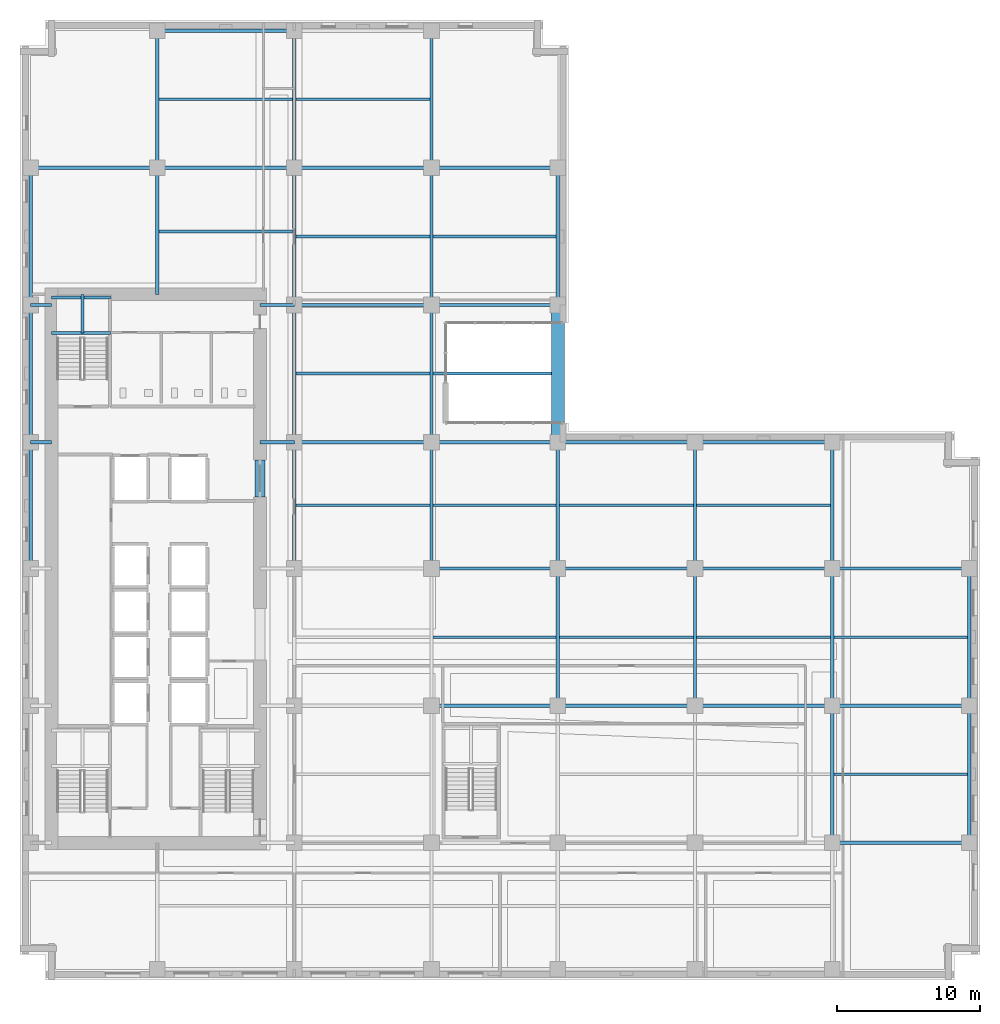
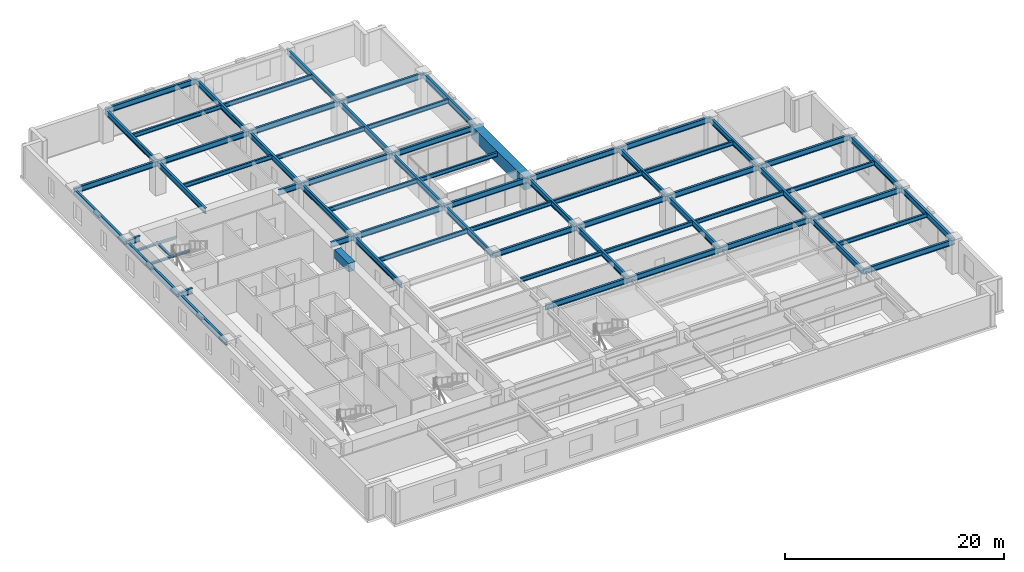
# One storey, part 2 of 14: 68 beams.
"""IFC4 building model written with IfcOpenShell, lengths in metres."""

from ifc_helpers import new_model, si_unit, direction, frame, origin, origin_2d, place, context, subcontext, project, spatial, rectangle, i_section, extrude, material, material_profile, profile_set, type_object, element, save


model = new_model("IFC4")

# Units and contexts
model_context = context("Model", 3, precision=1e-05, world=origin(), true_north=direction((0.0, 1.0)))
body_context = subcontext(model_context, "Body", "Model", "MODEL_VIEW")
ifc_project = project(units=[si_unit("LENGTHUNIT", "METRE"), si_unit("AREAUNIT", "SQUARE_METRE"), si_unit("VOLUMEUNIT", "CUBIC_METRE"), si_unit("PLANEANGLEUNIT", "RADIAN"), si_unit("MASSUNIT", "GRAM", prefix="KILO")], contexts=[model_context])

# Site, building, storey
site_placement = place(None, origin())
site = spatial("IfcSite", under=ifc_project, at=site_placement, CompositionType="ELEMENT")
building_placement = place(site_placement, origin())
building = spatial("IfcBuilding", under=site, at=building_placement, Name="Norrvale University Quadrangle", CompositionType="ELEMENT")
storey_placement = place(building_placement, frame((0.0, 0.0, 62.199951171875)))
storey = spatial("IfcBuildingStorey", under=building, at=storey_placement, Name="L15", CompositionType="ELEMENT", Elevation=62.199951171875)

# Beams
ifc_material_1 = material(Name="Concrete C80/95", Category="concrete")
ifc_material_profile_1 = material_profile(ifc_material_1, rectangle(XDim=0.699951171875, YDim=0.949951171875, at=origin_2d()), Name="Concrete C80/95")
ifc_profile_set_1 = profile_set([ifc_material_profile_1], Name="Concrete C80/95")
beam_type_1 = type_object("IfcBeamType", Name="Beam Core Link 700x950", PredefinedType="LINTEL", material=ifc_profile_set_1)
beam_1_placement = place(storey_placement, frame((16.800048828125, 33.800048828125, 3.06494140625), z_axis=(0.0, 1.0, 0.0), x_axis=(-1.0, 0.0, 0.0)))
element("IfcBeam", 1, at=beam_1_placement, inside=storey, type_object=beam_type_1, Name="Core Coupling Lintel Beam L15-2", PredefinedType="LINTEL", context=body_context, shape_type="SweptSolid", body=[
    extrude(rectangle(XDim=0.699951171875, YDim=0.949951171875, at=origin_2d()), origin(), (0.0, 0.0, 1.0), 2.599853515625),
])
ifc_material_2 = material(Name="Steel 350W", Category="steel")
ifc_material_profile_2 = material_profile(ifc_material_2, i_section(OverallWidth=0.194091796875, OverallDepth=0.468994140625, WebThickness=0.0126953125, FlangeThickness=0.0205078125, FilletRadius=0.012939453125, at=origin_2d()), Name="Steel 350W")
ifc_profile_set_2 = profile_set([ifc_material_profile_2], Name="Steel 350W")
beam_type_2 = type_object("IfcBeamType", Name="Beam Floor W460x106", PredefinedType="BEAM", material=ifc_profile_set_2)
beam_2_placement = place(storey_placement, frame((9.715087890625, 61.64990234375, 3.3056640625), z_axis=(1.0, 0.0, 0.0), x_axis=(0.0, 1.0, 0.0)))
element("IfcBeam", 2, at=beam_2_placement, inside=storey, type_object=beam_type_2, Name="Beam Floor W460x106 BM-L15-J078", PredefinedType="BEAM", context=body_context, shape_type="SweptSolid", body=[
    extrude(i_section(OverallWidth=0.194091796875, OverallDepth=0.468994140625, WebThickness=0.0126953125, FlangeThickness=0.0205078125, FilletRadius=0.012939453125, at=origin_2d()), origin(), (0.0, 0.0, 1.0), 9.369873046875),
])
for number, where, z_axis, x_axis, name in (
    (3, (19.31494140625, 33.22509765625, 3.3056640625), (1.0, 0.0, 0.0), (0.0, 1.0, 0.0), "Beam Floor W460x106 BM-L15-J082"),
    (4, (19.31494140625, 42.449951171875, 3.3056640625), (1.0, 0.0, 0.0), (0.0, 1.0, 0.0), "Beam Floor W460x106 BM-L15-J083"),
    (5, (19.31494140625, 52.050048828125, 3.3056640625), (1.0, 0.0, 0.0), (0.0, 1.0, 0.0), "Beam Floor W460x106 BM-L15-J084"),
    (6, (19.31494140625, 61.64990234375, 3.3056640625), (1.0, 0.0, 0.0), (0.0, 1.0, 0.0), "Beam Floor W460x106 BM-L15-J085"),
):
    element("IfcBeam", number, at=place(storey_placement, frame(where, z_axis=z_axis, x_axis=x_axis)), inside=storey, type_object=beam_type_2, Name=name, PredefinedType="BEAM", context=body_context, shape_type="SweptSolid", body=[
        extrude(i_section(OverallWidth=0.194091796875, OverallDepth=0.468994140625, WebThickness=0.0126953125, FlangeThickness=0.0205078125, FilletRadius=0.012939453125, at=origin_2d()), origin(), (0.0, 0.0, 1.0), 9.3701171875),
    ])
for number, where, z_axis, x_axis, name in (
    (7, (28.9150390625, 24.0, 3.3056640625), (1.0, 0.0, 0.0), (0.0, 1.0, 0.0), "Beam Floor W460x106 BM-L15-J087"),
    (8, (28.9150390625, 33.22509765625, 3.3056640625), (1.0, 0.0, 0.0), (0.0, 1.0, 0.0), "Beam Floor W460x106 BM-L15-J088"),
):
    element("IfcBeam", number, at=place(storey_placement, frame(where, z_axis=z_axis, x_axis=x_axis)), inside=storey, type_object=beam_type_2, Name=name, PredefinedType="BEAM", context=body_context, shape_type="SweptSolid", body=[
        extrude(i_section(OverallWidth=0.194091796875, OverallDepth=0.468994140625, WebThickness=0.0126953125, FlangeThickness=0.0205078125, FilletRadius=0.012939453125, at=origin_2d()), origin(), (0.0, 0.0, 1.0), 8.619873046875),
    ])
beam_3_placement = place(storey_placement, frame((28.9150390625, 42.449951171875, 3.3056640625), z_axis=(1.0, 0.0, 0.0), x_axis=(0.0, 1.0, 0.0)))
element("IfcBeam", 9, at=beam_3_placement, inside=storey, type_object=beam_type_2, Name="Beam Floor W460x106 BM-L15-J089", PredefinedType="BEAM", context=body_context, shape_type="SweptSolid", body=[
    extrude(i_section(OverallWidth=0.194091796875, OverallDepth=0.468994140625, WebThickness=0.0126953125, FlangeThickness=0.0205078125, FilletRadius=0.012939453125, at=origin_2d()), origin(), (0.0, 0.0, 1.0), 8.284912109375),
])
beam_4_placement = place(storey_placement, frame((28.9150390625, 52.050048828125, 3.3056640625), z_axis=(1.0, 0.0, 0.0), x_axis=(0.0, 1.0, 0.0)))
element("IfcBeam", 10, at=beam_4_placement, inside=storey, type_object=beam_type_2, Name="Beam Floor W460x106 BM-L15-J090", PredefinedType="BEAM", context=body_context, shape_type="SweptSolid", body=[
    extrude(i_section(OverallWidth=0.194091796875, OverallDepth=0.468994140625, WebThickness=0.0126953125, FlangeThickness=0.0205078125, FilletRadius=0.012939453125, at=origin_2d()), origin(), (0.0, 0.0, 1.0), 8.619873046875),
])
for number, where, z_axis, x_axis, name in (
    (11, (37.764892578125, 24.0, 3.3056640625), (1.0, 0.0, 0.0), (0.0, 1.0, 0.0), "Beam Floor W460x106 BM-L15-J093"),
    (12, (37.764892578125, 33.22509765625, 3.3056640625), (1.0, 0.0, 0.0), (0.0, 1.0, 0.0), "Beam Floor W460x106 BM-L15-J094"),
    (13, (47.364990234375, 24.0, 3.3056640625), (1.0, 0.0, 0.0), (0.0, 1.0, 0.0), "Beam Floor W460x106 BM-L15-J097"),
    (14, (47.364990234375, 33.22509765625, 3.3056640625), (1.0, 0.0, 0.0), (0.0, 1.0, 0.0), "Beam Floor W460x106 BM-L15-J098"),
):
    element("IfcBeam", number, at=place(storey_placement, frame(where, z_axis=z_axis, x_axis=x_axis)), inside=storey, type_object=beam_type_2, Name=name, PredefinedType="BEAM", context=body_context, shape_type="SweptSolid", body=[
        extrude(i_section(OverallWidth=0.194091796875, OverallDepth=0.468994140625, WebThickness=0.0126953125, FlangeThickness=0.0205078125, FilletRadius=0.012939453125, at=origin_2d()), origin(), (0.0, 0.0, 1.0), 9.3701171875),
    ])
for number, where, z_axis, x_axis, name in (
    (15, (56.965087890625, 14.39990234375, 3.3056640625), (1.0, 0.0, 0.0), (0.0, 1.0, 0.0), "Beam Floor W460x106 BM-L15-J099"),
    (16, (56.965087890625, 24.0, 3.3056640625), (1.0, 0.0, 0.0), (0.0, 1.0, 0.0), "Beam Floor W460x106 BM-L15-J100"),
    (17, (9.715087890625, 52.39990234375, 3.3056640625), (1.0, 0.0, 0.0), (0.0, 1.0, 0.0), "Beam Floor W460x106 BM-L15-JCN104"),
):
    element("IfcBeam", number, at=place(storey_placement, frame(where, z_axis=z_axis, x_axis=x_axis)), inside=storey, type_object=beam_type_2, Name=name, PredefinedType="BEAM", context=body_context, shape_type="SweptSolid", body=[
        extrude(i_section(OverallWidth=0.194091796875, OverallDepth=0.468994140625, WebThickness=0.0126953125, FlangeThickness=0.0205078125, FilletRadius=0.012939453125, at=origin_2d()), origin(), (0.0, 0.0, 1.0), 9.369873046875),
    ])
ifc_material_profile_3 = material_profile(ifc_material_2, i_section(OverallWidth=0.22998046875, OverallDepth=0.616943359375, WebThickness=0.01318359375, FlangeThickness=0.022216796875, FilletRadius=0.01611328125, at=origin_2d()), Name="Steel 350W")
ifc_profile_set_3 = profile_set([ifc_material_profile_3], Name="Steel 350W")
beam_type_3 = type_object("IfcBeamType", Name="Beam Floor W610x140", PredefinedType="BEAM", material=ifc_profile_set_3)
beam_5_placement = place(storey_placement, frame((56.85009765625, 9.60009765625, 3.2314453125), z_axis=(1.0, 0.0, 0.0), x_axis=(0.0, 1.0, 0.0)))
element("IfcBeam", 18, at=beam_5_placement, inside=storey, type_object=beam_type_3, Name="Beam Floor W610x140 BM-L15-GX010", PredefinedType="BEAM", context=body_context, shape_type="SweptSolid", body=[
    extrude(i_section(OverallWidth=0.22998046875, OverallDepth=0.616943359375, WebThickness=0.01318359375, FlangeThickness=0.022216796875, FilletRadius=0.01611328125, at=origin_2d()), origin(), (0.0, 0.0, 1.0), 9.599853515625),
])
beam_6_placement = place(storey_placement, frame((28.800048828125, 19.199951171875, 3.2314453125), z_axis=(1.0, 0.0, 0.0), x_axis=(0.0, 1.0, 0.0)))
element("IfcBeam", 19, at=beam_6_placement, inside=storey, type_object=beam_type_3, Name="Beam Floor W610x140 BM-L15-GX012", PredefinedType="BEAM", context=body_context, shape_type="SweptSolid", body=[
    extrude(i_section(OverallWidth=0.22998046875, OverallDepth=0.616943359375, WebThickness=0.01318359375, FlangeThickness=0.022216796875, FilletRadius=0.01611328125, at=origin_2d()), origin(), (0.0, 0.0, 1.0), 8.849853515625),
])
for number, where, z_axis, x_axis, name in (
    (20, (37.64990234375, 19.199951171875, 3.2314453125), (1.0, 0.0, 0.0), (0.0, 1.0, 0.0), "Beam Floor W610x140 BM-L15-GX013"),
    (21, (47.25, 19.199951171875, 3.2314453125), (1.0, 0.0, 0.0), (0.0, 1.0, 0.0), "Beam Floor W610x140 BM-L15-GX014"),
):
    element("IfcBeam", number, at=place(storey_placement, frame(where, z_axis=z_axis, x_axis=x_axis)), inside=storey, type_object=beam_type_3, Name=name, PredefinedType="BEAM", context=body_context, shape_type="SweptSolid", body=[
        extrude(i_section(OverallWidth=0.22998046875, OverallDepth=0.616943359375, WebThickness=0.01318359375, FlangeThickness=0.022216796875, FilletRadius=0.01611328125, at=origin_2d()), origin(), (0.0, 0.0, 1.0), 9.60009765625),
    ])
beam_7_placement = place(storey_placement, frame((56.85009765625, 19.199951171875, 3.2314453125), z_axis=(1.0, 0.0, 0.0), x_axis=(0.0, 1.0, 0.0)))
element("IfcBeam", 22, at=beam_7_placement, inside=storey, type_object=beam_type_3, Name="Beam Floor W610x140 BM-L15-GX015", PredefinedType="BEAM", context=body_context, shape_type="SweptSolid", body=[
    extrude(i_section(OverallWidth=0.22998046875, OverallDepth=0.616943359375, WebThickness=0.01318359375, FlangeThickness=0.022216796875, FilletRadius=0.01611328125, at=origin_2d()), origin(), (0.0, 0.0, 1.0), 9.599853515625),
])
beam_8_placement = place(storey_placement, frame((28.800048828125, 28.800048828125, 3.2314453125), z_axis=(1.0, 0.0, 0.0), x_axis=(0.0, 1.0, 0.0)))
element("IfcBeam", 23, at=beam_8_placement, inside=storey, type_object=beam_type_3, Name="Beam Floor W610x140 BM-L15-GX017", PredefinedType="BEAM", context=body_context, shape_type="SweptSolid", body=[
    extrude(i_section(OverallWidth=0.22998046875, OverallDepth=0.616943359375, WebThickness=0.01318359375, FlangeThickness=0.022216796875, FilletRadius=0.01611328125, at=origin_2d()), origin(), (0.0, 0.0, 1.0), 8.849853515625),
])
for number, where, z_axis, x_axis, name in (
    (24, (37.64990234375, 28.800048828125, 3.2314453125), (1.0, 0.0, 0.0), (0.0, 1.0, 0.0), "Beam Floor W610x140 BM-L15-GX018"),
    (25, (47.25, 28.800048828125, 3.2314453125), (1.0, 0.0, 0.0), (0.0, 1.0, 0.0), "Beam Floor W610x140 BM-L15-GX019"),
):
    element("IfcBeam", number, at=place(storey_placement, frame(where, z_axis=z_axis, x_axis=x_axis)), inside=storey, type_object=beam_type_3, Name=name, PredefinedType="BEAM", context=body_context, shape_type="SweptSolid", body=[
        extrude(i_section(OverallWidth=0.22998046875, OverallDepth=0.616943359375, WebThickness=0.01318359375, FlangeThickness=0.022216796875, FilletRadius=0.01611328125, at=origin_2d()), origin(), (0.0, 0.0, 1.0), 9.60009765625),
    ])
beam_9_placement = place(storey_placement, frame((56.85009765625, 28.800048828125, 3.2314453125), z_axis=(1.0, 0.0, 0.0), x_axis=(0.0, 1.0, 0.0)))
element("IfcBeam", 26, at=beam_9_placement, inside=storey, type_object=beam_type_3, Name="Beam Floor W610x140 BM-L15-GX020", PredefinedType="BEAM", context=body_context, shape_type="SweptSolid", body=[
    extrude(i_section(OverallWidth=0.22998046875, OverallDepth=0.616943359375, WebThickness=0.01318359375, FlangeThickness=0.022216796875, FilletRadius=0.01611328125, at=origin_2d()), origin(), (0.0, 0.0, 1.0), 9.599853515625),
])
beam_10_placement = place(storey_placement, frame((19.199951171875, 37.64990234375, 3.2314453125), z_axis=(1.0, 0.0, 0.0), x_axis=(0.0, 1.0, 0.0)))
element("IfcBeam", 27, at=beam_10_placement, inside=storey, type_object=beam_type_3, Name="Beam Floor W610x140 BM-L15-GX021", PredefinedType="BEAM", context=body_context, shape_type="SweptSolid", body=[
    extrude(i_section(OverallWidth=0.22998046875, OverallDepth=0.616943359375, WebThickness=0.01318359375, FlangeThickness=0.022216796875, FilletRadius=0.01611328125, at=origin_2d()), origin(), (0.0, 0.0, 1.0), 9.60009765625),
])
beam_11_placement = place(storey_placement, frame((28.800048828125, 37.64990234375, 3.2314453125), z_axis=(1.0, 0.0, 0.0), x_axis=(0.0, 1.0, 0.0)))
element("IfcBeam", 28, at=beam_11_placement, inside=storey, type_object=beam_type_3, Name="Beam Floor W610x140 BM-L15-GX022", PredefinedType="BEAM", context=body_context, shape_type="SweptSolid", body=[
    extrude(i_section(OverallWidth=0.22998046875, OverallDepth=0.616943359375, WebThickness=0.01318359375, FlangeThickness=0.022216796875, FilletRadius=0.01611328125, at=origin_2d()), origin(), (0.0, 0.0, 1.0), 8.849853515625),
])
for number, where, z_axis, x_axis, name in (
    (29, (37.64990234375, 37.64990234375, 3.2314453125), (1.0, 0.0, 0.0), (0.0, 1.0, 0.0), "Beam Floor W610x140 BM-L15-GX023"),
    (30, (47.25, 37.64990234375, 3.2314453125), (1.0, 0.0, 0.0), (0.0, 1.0, 0.0), "Beam Floor W610x140 BM-L15-GX024"),
    (31, (19.199951171875, 47.25, 3.2314453125), (1.0, 0.0, 0.0), (0.0, 1.0, 0.0), "Beam Floor W610x140 BM-L15-GX025"),
):
    element("IfcBeam", number, at=place(storey_placement, frame(where, z_axis=z_axis, x_axis=x_axis)), inside=storey, type_object=beam_type_3, Name=name, PredefinedType="BEAM", context=body_context, shape_type="SweptSolid", body=[
        extrude(i_section(OverallWidth=0.22998046875, OverallDepth=0.616943359375, WebThickness=0.01318359375, FlangeThickness=0.022216796875, FilletRadius=0.01611328125, at=origin_2d()), origin(), (0.0, 0.0, 1.0), 9.60009765625),
    ])
beam_12_placement = place(storey_placement, frame((28.800048828125, 47.25, 3.2314453125), z_axis=(1.0, 0.0, 0.0), x_axis=(0.0, 1.0, 0.0)))
element("IfcBeam", 32, at=beam_12_placement, inside=storey, type_object=beam_type_3, Name="Beam Floor W610x140 BM-L15-GX026", PredefinedType="BEAM", context=body_context, shape_type="SweptSolid", body=[
    extrude(i_section(OverallWidth=0.22998046875, OverallDepth=0.616943359375, WebThickness=0.01318359375, FlangeThickness=0.022216796875, FilletRadius=0.01611328125, at=origin_2d()), origin(), (0.0, 0.0, 1.0), 8.849853515625),
])
beam_13_placement = place(storey_placement, frame((0.75, 56.85009765625, 3.2314453125), z_axis=(1.0, 0.0, 0.0), x_axis=(0.0, 1.0, 0.0)))
element("IfcBeam", 33, at=beam_13_placement, inside=storey, type_object=beam_type_3, Name="Beam Floor W610x140 BM-L15-GX027", PredefinedType="BEAM", context=body_context, shape_type="SweptSolid", body=[
    extrude(i_section(OverallWidth=0.22998046875, OverallDepth=0.616943359375, WebThickness=0.01318359375, FlangeThickness=0.022216796875, FilletRadius=0.01611328125, at=origin_2d()), origin(), (0.0, 0.0, 1.0), 8.85009765625),
])
beam_14_placement = place(storey_placement, frame((9.60009765625, 56.85009765625, 3.2314453125), z_axis=(1.0, 0.0, 0.0), x_axis=(0.0, 1.0, 0.0)))
element("IfcBeam", 34, at=beam_14_placement, inside=storey, type_object=beam_type_3, Name="Beam Floor W610x140 BM-L15-GX028", PredefinedType="BEAM", context=body_context, shape_type="SweptSolid", body=[
    extrude(i_section(OverallWidth=0.22998046875, OverallDepth=0.616943359375, WebThickness=0.01318359375, FlangeThickness=0.022216796875, FilletRadius=0.01611328125, at=origin_2d()), origin(), (0.0, 0.0, 1.0), 9.599853515625),
])
beam_15_placement = place(storey_placement, frame((19.199951171875, 56.85009765625, 3.2314453125), z_axis=(1.0, 0.0, 0.0), x_axis=(0.0, 1.0, 0.0)))
element("IfcBeam", 35, at=beam_15_placement, inside=storey, type_object=beam_type_3, Name="Beam Floor W610x140 BM-L15-GX029", PredefinedType="BEAM", context=body_context, shape_type="SweptSolid", body=[
    extrude(i_section(OverallWidth=0.22998046875, OverallDepth=0.616943359375, WebThickness=0.01318359375, FlangeThickness=0.022216796875, FilletRadius=0.01611328125, at=origin_2d()), origin(), (0.0, 0.0, 1.0), 9.60009765625),
])
beam_16_placement = place(storey_placement, frame((28.800048828125, 56.85009765625, 3.2314453125), z_axis=(1.0, 0.0, 0.0), x_axis=(0.0, 1.0, 0.0)))
element("IfcBeam", 36, at=beam_16_placement, inside=storey, type_object=beam_type_3, Name="Beam Floor W610x140 BM-L15-GX030", PredefinedType="BEAM", context=body_context, shape_type="SweptSolid", body=[
    extrude(i_section(OverallWidth=0.22998046875, OverallDepth=0.616943359375, WebThickness=0.01318359375, FlangeThickness=0.022216796875, FilletRadius=0.01611328125, at=origin_2d()), origin(), (0.0, 0.0, 1.0), 8.849853515625),
])
beam_17_placement = place(storey_placement, frame((9.60009765625, 66.449951171875, 3.2314453125), z_axis=(1.0, 0.0, 0.0), x_axis=(0.0, 1.0, 0.0)))
element("IfcBeam", 37, at=beam_17_placement, inside=storey, type_object=beam_type_3, Name="Beam Floor W610x140 BM-L15-GX031", PredefinedType="BEAM", context=body_context, shape_type="SweptSolid", body=[
    extrude(i_section(OverallWidth=0.22998046875, OverallDepth=0.616943359375, WebThickness=0.01318359375, FlangeThickness=0.022216796875, FilletRadius=0.01611328125, at=origin_2d()), origin(), (0.0, 0.0, 1.0), 9.599853515625),
])
beam_18_placement = place(storey_placement, frame((0.75, 28.800048828125, 3.2314453125), z_axis=(0.0, 1.0, 0.0), x_axis=(-1.0, 0.0, 0.0)))
element("IfcBeam", 38, at=beam_18_placement, inside=storey, type_object=beam_type_3, Name="Beam Floor W610x140 BM-L15-GY035", PredefinedType="BEAM", context=body_context, shape_type="SweptSolid", body=[
    extrude(i_section(OverallWidth=0.22998046875, OverallDepth=0.616943359375, WebThickness=0.01318359375, FlangeThickness=0.022216796875, FilletRadius=0.01611328125, at=origin_2d()), origin(), (0.0, 0.0, 1.0), 8.849853515625),
])
for number, where, z_axis, x_axis, name in (
    (39, (0.75, 37.64990234375, 3.2314453125), (0.0, 1.0, 0.0), (-1.0, 0.0, 0.0), "Beam Floor W610x140 BM-L15-GY036"),
    (40, (0.75, 47.25, 3.2314453125), (0.0, 1.0, 0.0), (-1.0, 0.0, 0.0), "Beam Floor W610x140 BM-L15-GY037"),
):
    element("IfcBeam", number, at=place(storey_placement, frame(where, z_axis=z_axis, x_axis=x_axis)), inside=storey, type_object=beam_type_3, Name=name, PredefinedType="BEAM", context=body_context, shape_type="SweptSolid", body=[
        extrude(i_section(OverallWidth=0.22998046875, OverallDepth=0.616943359375, WebThickness=0.01318359375, FlangeThickness=0.022216796875, FilletRadius=0.01611328125, at=origin_2d()), origin(), (0.0, 0.0, 1.0), 9.60009765625),
    ])
beam_19_placement = place(storey_placement, frame((9.60009765625, 56.85009765625, 3.2314453125), z_axis=(0.0, 1.0, 0.0), x_axis=(-1.0, 0.0, 0.0)))
element("IfcBeam", 41, at=beam_19_placement, inside=storey, type_object=beam_type_3, Name="Beam Floor W610x140 BM-L15-GY038", PredefinedType="BEAM", context=body_context, shape_type="SweptSolid", body=[
    extrude(i_section(OverallWidth=0.22998046875, OverallDepth=0.616943359375, WebThickness=0.01318359375, FlangeThickness=0.022216796875, FilletRadius=0.01611328125, at=origin_2d()), origin(), (0.0, 0.0, 1.0), 9.599853515625),
])
beam_20_placement = place(storey_placement, frame((19.199951171875, 28.800048828125, 3.2314453125), z_axis=(0.0, 1.0, 0.0), x_axis=(-1.0, 0.0, 0.0)))
element("IfcBeam", 42, at=beam_20_placement, inside=storey, type_object=beam_type_3, Name="Beam Floor W610x140 BM-L15-GY042", PredefinedType="BEAM", context=body_context, shape_type="SweptSolid", body=[
    extrude(i_section(OverallWidth=0.22998046875, OverallDepth=0.616943359375, WebThickness=0.01318359375, FlangeThickness=0.022216796875, FilletRadius=0.01611328125, at=origin_2d()), origin(), (0.0, 0.0, 1.0), 8.849853515625),
])
for number, where, z_axis, x_axis, name in (
    (43, (19.199951171875, 37.64990234375, 3.2314453125), (0.0, 1.0, 0.0), (-1.0, 0.0, 0.0), "Beam Floor W610x140 BM-L15-GY043"),
    (44, (19.199951171875, 47.25, 3.2314453125), (0.0, 1.0, 0.0), (-1.0, 0.0, 0.0), "Beam Floor W610x140 BM-L15-GY044"),
):
    element("IfcBeam", number, at=place(storey_placement, frame(where, z_axis=z_axis, x_axis=x_axis)), inside=storey, type_object=beam_type_3, Name=name, PredefinedType="BEAM", context=body_context, shape_type="SweptSolid", body=[
        extrude(i_section(OverallWidth=0.22998046875, OverallDepth=0.616943359375, WebThickness=0.01318359375, FlangeThickness=0.022216796875, FilletRadius=0.01611328125, at=origin_2d()), origin(), (0.0, 0.0, 1.0), 9.60009765625),
    ])
beam_21_placement = place(storey_placement, frame((19.199951171875, 56.85009765625, 3.2314453125), z_axis=(0.0, 1.0, 0.0), x_axis=(-1.0, 0.0, 0.0)))
element("IfcBeam", 45, at=beam_21_placement, inside=storey, type_object=beam_type_3, Name="Beam Floor W610x140 BM-L15-GY045", PredefinedType="BEAM", context=body_context, shape_type="SweptSolid", body=[
    extrude(i_section(OverallWidth=0.22998046875, OverallDepth=0.616943359375, WebThickness=0.01318359375, FlangeThickness=0.022216796875, FilletRadius=0.01611328125, at=origin_2d()), origin(), (0.0, 0.0, 1.0), 9.599853515625),
])
beam_22_placement = place(storey_placement, frame((28.800048828125, 28.800048828125, 3.2314453125), z_axis=(0.0, 1.0, 0.0), x_axis=(-1.0, 0.0, 0.0)))
element("IfcBeam", 46, at=beam_22_placement, inside=storey, type_object=beam_type_3, Name="Beam Floor W610x140 BM-L15-GY049", PredefinedType="BEAM", context=body_context, shape_type="SweptSolid", body=[
    extrude(i_section(OverallWidth=0.22998046875, OverallDepth=0.616943359375, WebThickness=0.01318359375, FlangeThickness=0.022216796875, FilletRadius=0.01611328125, at=origin_2d()), origin(), (0.0, 0.0, 1.0), 8.849853515625),
])
for number, where, z_axis, x_axis, name in (
    (47, (28.800048828125, 37.64990234375, 3.2314453125), (0.0, 1.0, 0.0), (-1.0, 0.0, 0.0), "Beam Floor W610x140 BM-L15-GY050"),
    (48, (28.800048828125, 47.25, 3.2314453125), (0.0, 1.0, 0.0), (-1.0, 0.0, 0.0), "Beam Floor W610x140 BM-L15-GY051"),
):
    element("IfcBeam", number, at=place(storey_placement, frame(where, z_axis=z_axis, x_axis=x_axis)), inside=storey, type_object=beam_type_3, Name=name, PredefinedType="BEAM", context=body_context, shape_type="SweptSolid", body=[
        extrude(i_section(OverallWidth=0.22998046875, OverallDepth=0.616943359375, WebThickness=0.01318359375, FlangeThickness=0.022216796875, FilletRadius=0.01611328125, at=origin_2d()), origin(), (0.0, 0.0, 1.0), 9.60009765625),
    ])
beam_23_placement = place(storey_placement, frame((28.800048828125, 56.85009765625, 3.2314453125), z_axis=(0.0, 1.0, 0.0), x_axis=(-1.0, 0.0, 0.0)))
element("IfcBeam", 49, at=beam_23_placement, inside=storey, type_object=beam_type_3, Name="Beam Floor W610x140 BM-L15-GY052", PredefinedType="BEAM", context=body_context, shape_type="SweptSolid", body=[
    extrude(i_section(OverallWidth=0.22998046875, OverallDepth=0.616943359375, WebThickness=0.01318359375, FlangeThickness=0.022216796875, FilletRadius=0.01611328125, at=origin_2d()), origin(), (0.0, 0.0, 1.0), 9.599853515625),
])
beam_24_placement = place(storey_placement, frame((37.64990234375, 19.199951171875, 3.2314453125), z_axis=(0.0, 1.0, 0.0), x_axis=(-1.0, 0.0, 0.0)))
element("IfcBeam", 50, at=beam_24_placement, inside=storey, type_object=beam_type_3, Name="Beam Floor W610x140 BM-L15-GY055", PredefinedType="BEAM", context=body_context, shape_type="SweptSolid", body=[
    extrude(i_section(OverallWidth=0.22998046875, OverallDepth=0.616943359375, WebThickness=0.01318359375, FlangeThickness=0.022216796875, FilletRadius=0.01611328125, at=origin_2d()), origin(), (0.0, 0.0, 1.0), 9.60009765625),
])
beam_25_placement = place(storey_placement, frame((37.64990234375, 28.800048828125, 3.2314453125), z_axis=(0.0, 1.0, 0.0), x_axis=(-1.0, 0.0, 0.0)))
element("IfcBeam", 51, at=beam_25_placement, inside=storey, type_object=beam_type_3, Name="Beam Floor W610x140 BM-L15-GY056", PredefinedType="BEAM", context=body_context, shape_type="SweptSolid", body=[
    extrude(i_section(OverallWidth=0.22998046875, OverallDepth=0.616943359375, WebThickness=0.01318359375, FlangeThickness=0.022216796875, FilletRadius=0.01611328125, at=origin_2d()), origin(), (0.0, 0.0, 1.0), 8.849853515625),
])
for number, where, z_axis, x_axis, name in (
    (52, (37.64990234375, 47.25, 3.2314453125), (0.0, 1.0, 0.0), (-1.0, 0.0, 0.0), "Beam Floor W610x140 BM-L15-GY057"),
    (53, (47.25, 19.199951171875, 3.2314453125), (0.0, 1.0, 0.0), (-1.0, 0.0, 0.0), "Beam Floor W610x140 BM-L15-GY060"),
):
    element("IfcBeam", number, at=place(storey_placement, frame(where, z_axis=z_axis, x_axis=x_axis)), inside=storey, type_object=beam_type_3, Name=name, PredefinedType="BEAM", context=body_context, shape_type="SweptSolid", body=[
        extrude(i_section(OverallWidth=0.22998046875, OverallDepth=0.616943359375, WebThickness=0.01318359375, FlangeThickness=0.022216796875, FilletRadius=0.01611328125, at=origin_2d()), origin(), (0.0, 0.0, 1.0), 9.60009765625),
    ])
beam_26_placement = place(storey_placement, frame((47.25, 28.800048828125, 3.2314453125), z_axis=(0.0, 1.0, 0.0), x_axis=(-1.0, 0.0, 0.0)))
element("IfcBeam", 54, at=beam_26_placement, inside=storey, type_object=beam_type_3, Name="Beam Floor W610x140 BM-L15-GY061", PredefinedType="BEAM", context=body_context, shape_type="SweptSolid", body=[
    extrude(i_section(OverallWidth=0.22998046875, OverallDepth=0.616943359375, WebThickness=0.01318359375, FlangeThickness=0.022216796875, FilletRadius=0.01611328125, at=origin_2d()), origin(), (0.0, 0.0, 1.0), 8.849853515625),
])
beam_27_placement = place(storey_placement, frame((56.85009765625, 9.60009765625, 3.2314453125), z_axis=(0.0, 1.0, 0.0), x_axis=(-1.0, 0.0, 0.0)))
element("IfcBeam", 55, at=beam_27_placement, inside=storey, type_object=beam_type_3, Name="Beam Floor W610x140 BM-L15-GY063", PredefinedType="BEAM", context=body_context, shape_type="SweptSolid", body=[
    extrude(i_section(OverallWidth=0.22998046875, OverallDepth=0.616943359375, WebThickness=0.01318359375, FlangeThickness=0.022216796875, FilletRadius=0.01611328125, at=origin_2d()), origin(), (0.0, 0.0, 1.0), 9.599853515625),
])
beam_28_placement = place(storey_placement, frame((56.85009765625, 19.199951171875, 3.2314453125), z_axis=(0.0, 1.0, 0.0), x_axis=(-1.0, 0.0, 0.0)))
element("IfcBeam", 56, at=beam_28_placement, inside=storey, type_object=beam_type_3, Name="Beam Floor W610x140 BM-L15-GY064", PredefinedType="BEAM", context=body_context, shape_type="SweptSolid", body=[
    extrude(i_section(OverallWidth=0.22998046875, OverallDepth=0.616943359375, WebThickness=0.01318359375, FlangeThickness=0.022216796875, FilletRadius=0.01611328125, at=origin_2d()), origin(), (0.0, 0.0, 1.0), 9.60009765625),
])
beam_29_placement = place(storey_placement, frame((56.85009765625, 28.800048828125, 3.2314453125), z_axis=(0.0, 1.0, 0.0), x_axis=(-1.0, 0.0, 0.0)))
element("IfcBeam", 57, at=beam_29_placement, inside=storey, type_object=beam_type_3, Name="Beam Floor W610x140 BM-L15-GY065", PredefinedType="BEAM", context=body_context, shape_type="SweptSolid", body=[
    extrude(i_section(OverallWidth=0.22998046875, OverallDepth=0.616943359375, WebThickness=0.01318359375, FlangeThickness=0.022216796875, FilletRadius=0.01611328125, at=origin_2d()), origin(), (0.0, 0.0, 1.0), 8.849853515625),
])
beam_30_placement = place(storey_placement, frame((66.449951171875, 9.60009765625, 3.2314453125), z_axis=(0.0, 1.0, 0.0), x_axis=(-1.0, 0.0, 0.0)))
element("IfcBeam", 58, at=beam_30_placement, inside=storey, type_object=beam_type_3, Name="Beam Floor W610x140 BM-L15-GY066", PredefinedType="BEAM", context=body_context, shape_type="SweptSolid", body=[
    extrude(i_section(OverallWidth=0.22998046875, OverallDepth=0.616943359375, WebThickness=0.01318359375, FlangeThickness=0.022216796875, FilletRadius=0.01611328125, at=origin_2d()), origin(), (0.0, 0.0, 1.0), 9.599853515625),
])
beam_31_placement = place(storey_placement, frame((66.449951171875, 19.199951171875, 3.2314453125), z_axis=(0.0, 1.0, 0.0), x_axis=(-1.0, 0.0, 0.0)))
element("IfcBeam", 59, at=beam_31_placement, inside=storey, type_object=beam_type_3, Name="Beam Floor W610x140 BM-L15-GY067", PredefinedType="BEAM", context=body_context, shape_type="SweptSolid", body=[
    extrude(i_section(OverallWidth=0.22998046875, OverallDepth=0.616943359375, WebThickness=0.01318359375, FlangeThickness=0.022216796875, FilletRadius=0.01611328125, at=origin_2d()), origin(), (0.0, 0.0, 1.0), 9.60009765625),
])
beam_32_placement = place(storey_placement, frame((0.75, 37.64990234375, 3.2314453125), z_axis=(1.0, 0.0, 0.0), x_axis=(0.0, 1.0, 0.0)))
element("IfcBeam", 60, at=beam_32_placement, inside=storey, type_object=beam_type_3, Name="Beam Floor W610x140 BM-L15-GCW074", PredefinedType="BEAM", context=body_context, shape_type="SweptSolid", body=[
    extrude(i_section(OverallWidth=0.22998046875, OverallDepth=0.616943359375, WebThickness=0.01318359375, FlangeThickness=0.022216796875, FilletRadius=0.01611328125, at=origin_2d()), origin(), (0.0, 0.0, 1.0), 1.449951171875),
])
beam_33_placement = place(storey_placement, frame((16.800048828125, 37.64990234375, 3.2314453125), z_axis=(1.0, 0.0, 0.0), x_axis=(0.0, 1.0, 0.0)))
element("IfcBeam", 61, at=beam_33_placement, inside=storey, type_object=beam_type_3, Name="Beam Floor W610x140 BM-L15-GCE075", PredefinedType="BEAM", context=body_context, shape_type="SweptSolid", body=[
    extrude(i_section(OverallWidth=0.22998046875, OverallDepth=0.616943359375, WebThickness=0.01318359375, FlangeThickness=0.022216796875, FilletRadius=0.01611328125, at=origin_2d()), origin(), (0.0, 0.0, 1.0), 2.39990234375),
])
beam_34_placement = place(storey_placement, frame((0.75, 47.25, 3.2314453125), z_axis=(1.0, 0.0, 0.0), x_axis=(0.0, 1.0, 0.0)))
element("IfcBeam", 62, at=beam_34_placement, inside=storey, type_object=beam_type_3, Name="Beam Floor W610x140 BM-L15-GCW076", PredefinedType="BEAM", context=body_context, shape_type="SweptSolid", body=[
    extrude(i_section(OverallWidth=0.22998046875, OverallDepth=0.616943359375, WebThickness=0.01318359375, FlangeThickness=0.022216796875, FilletRadius=0.01611328125, at=origin_2d()), origin(), (0.0, 0.0, 1.0), 1.449951171875),
])
beam_35_placement = place(storey_placement, frame((16.800048828125, 47.25, 3.2314453125), z_axis=(1.0, 0.0, 0.0), x_axis=(0.0, 1.0, 0.0)))
element("IfcBeam", 63, at=beam_35_placement, inside=storey, type_object=beam_type_3, Name="Beam Floor W610x140 BM-L15-GCE077", PredefinedType="BEAM", context=body_context, shape_type="SweptSolid", body=[
    extrude(i_section(OverallWidth=0.22998046875, OverallDepth=0.616943359375, WebThickness=0.01318359375, FlangeThickness=0.022216796875, FilletRadius=0.01611328125, at=origin_2d()), origin(), (0.0, 0.0, 1.0), 2.39990234375),
])
beam_36_placement = place(storey_placement, frame((9.60009765625, 48.0, 3.2314453125), z_axis=(0.0, 1.0, 0.0), x_axis=(-1.0, 0.0, 0.0)))
element("IfcBeam", 64, at=beam_36_placement, inside=storey, type_object=beam_type_3, Name="Beam Floor W610x140 BM-L15-GCN103", PredefinedType="BEAM", context=body_context, shape_type="SweptSolid", body=[
    extrude(i_section(OverallWidth=0.22998046875, OverallDepth=0.616943359375, WebThickness=0.01318359375, FlangeThickness=0.022216796875, FilletRadius=0.01611328125, at=origin_2d()), origin(), (0.0, 0.0, 1.0), 8.85009765625),
])
ifc_material_profile_4 = material_profile(ifc_material_2, i_section(OverallWidth=0.201904296875, OverallDepth=0.2470703125, WebThickness=0.00732421875, FlangeThickness=0.010986328125, FilletRadius=0.011962890625, at=origin_2d()), Name="Steel 350W")
ifc_profile_set_4 = profile_set([ifc_material_profile_4], Name="Steel 350W")
beam_type_4 = type_object("IfcBeamType", Name="Beam Stair W250x49", PredefinedType="BEAM", material=ifc_profile_set_4)
for number, where, z_axis, x_axis, name in (
    (65, (2.199951171875, 45.2900390625, 1.57666015625), (1.0, 0.0, 0.0), (0.0, 1.0, 0.0), "Stair Mid-Landing Front Beam ST-02 L15"),
    (66, (2.199951171875, 47.77001953125, 1.57666015625), (1.0, 0.0, 0.0), (0.0, 1.0, 0.0), "Stair Mid-Landing Rear Beam ST-02 L15"),
):
    element("IfcBeam", number, at=place(storey_placement, frame(where, z_axis=z_axis, x_axis=x_axis)), inside=storey, type_object=beam_type_4, Name=name, PredefinedType="BEAM", context=body_context, shape_type="SweptSolid", body=[
        extrude(i_section(OverallWidth=0.201904296875, OverallDepth=0.2470703125, WebThickness=0.00732421875, FlangeThickness=0.010986328125, FilletRadius=0.011962890625, at=origin_2d()), origin(), (0.0, 0.0, 1.0), 4.14013671875),
    ])
ifc_material_3 = material(Name="Concrete C60/75", Category="concrete")
ifc_material_profile_5 = material_profile(ifc_material_3, rectangle(XDim=0.89990234375, YDim=1.39990234375, at=origin_2d()), Name="Concrete C60/75")
ifc_profile_set_5 = profile_set([ifc_material_profile_5], Name="Concrete C60/75")
beam_type_5 = type_object("IfcBeamType", Name="Beam Transfer 900x1400", PredefinedType="USERDEFINED", material=ifc_profile_set_5)
beam_37_placement = place(storey_placement, frame((37.64990234375, 37.64990234375, 2.840087890625), z_axis=(0.0, 1.0, 0.0), x_axis=(-1.0, 0.0, 0.0)))
element("IfcBeam", 67, at=beam_37_placement, inside=storey, type_object=beam_type_5, Name="Setback Transfer Girder L15-26", ObjectType="TRANSFER GIRDER", PredefinedType="USERDEFINED", context=body_context, shape_type="SweptSolid", body=[
    extrude(rectangle(XDim=0.89990234375, YDim=1.39990234375, at=origin_2d()), origin(), (0.0, 0.0, 1.0), 9.60009765625),
])
ifc_material_profile_6 = material_profile(ifc_material_2, i_section(OverallWidth=0.202880859375, OverallDepth=0.202880859375, WebThickness=0.007080078125, FlangeThickness=0.010986328125, FilletRadius=0.010009765625, at=origin_2d()), Name="Steel 350W")
ifc_profile_set_6 = profile_set([ifc_material_profile_6], Name="Steel 350W")
beam_type_6 = type_object("IfcBeamType", Name="Beam Trim W200x46", PredefinedType="BEAM", material=ifc_profile_set_6)
beam_38_placement = place(storey_placement, frame((4.375, 45.2900390625, 1.5986328125), z_axis=(0.0, 1.0, 0.0), x_axis=(-1.0, 0.0, 0.0)))
element("IfcBeam", 68, at=beam_38_placement, inside=storey, type_object=beam_type_6, Name="Stair Mid-Landing Cross Beam ST-02 L15", PredefinedType="BEAM", context=body_context, shape_type="SweptSolid", body=[
    extrude(i_section(OverallWidth=0.202880859375, OverallDepth=0.202880859375, WebThickness=0.007080078125, FlangeThickness=0.010986328125, FilletRadius=0.010009765625, at=origin_2d()), origin(), (0.0, 0.0, 1.0), 2.7099609375),
])

save(model, "model.ifc")
